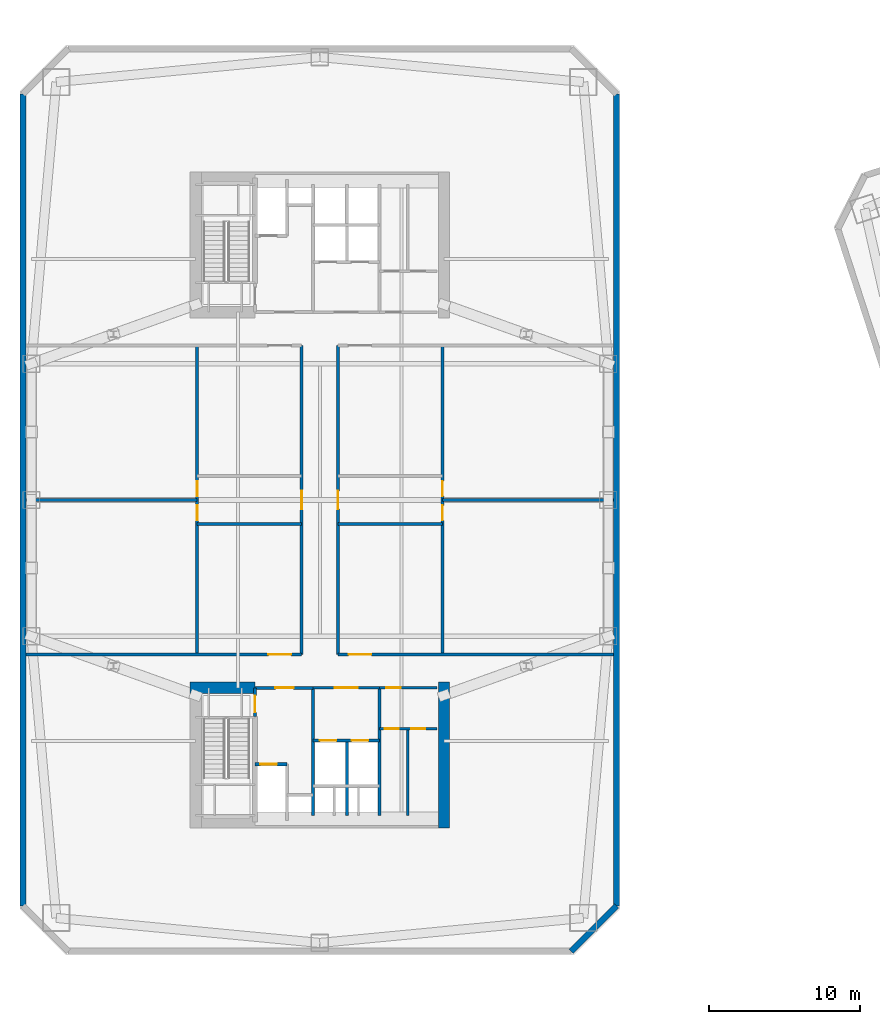
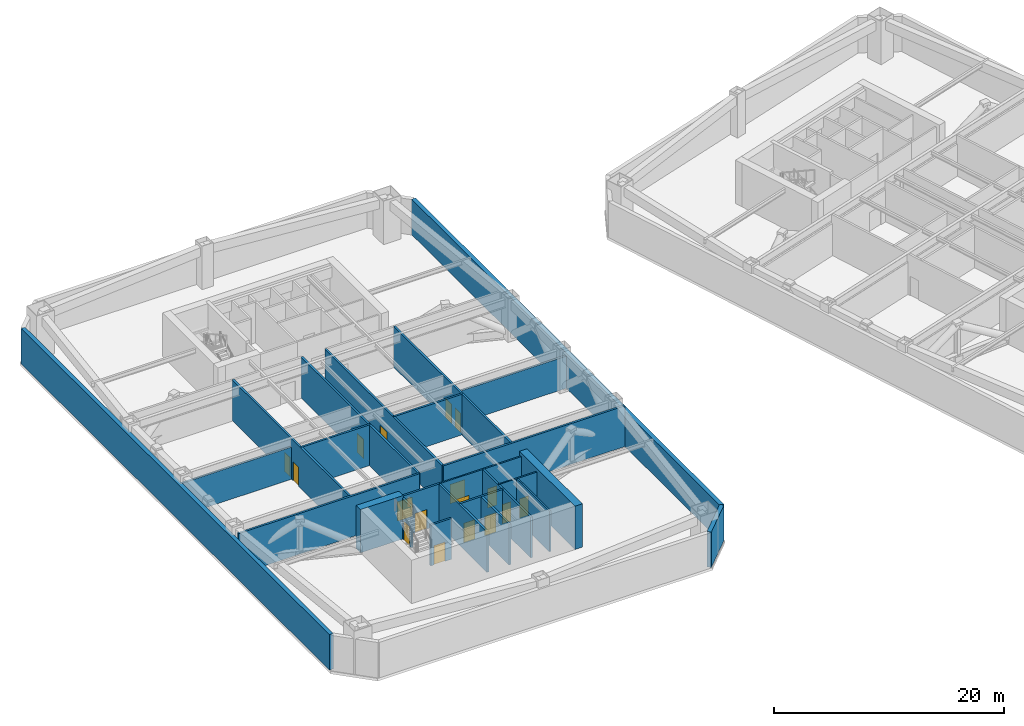
# One storey, part 9 of 16: 26 walls, 17 doors, 17 openings.
"""IFC4 building model written with IfcOpenShell, lengths in metres."""

from ifc_helpers import new_model, si_unit, direction, frame, frame_2d, origin, place, context, subcontext, project, spatial, rectangle, extrude, material, layer, layer_set, type_object, element, fill, save


model = new_model("IFC4")

# Units and contexts
model_context = context("Model", 3, precision=1e-05, world=origin(), true_north=direction((0.0, 1.0)))
body_context = subcontext(model_context, "Body", "Model", "MODEL_VIEW")
ifc_project = project(units=[si_unit("LENGTHUNIT", "METRE"), si_unit("AREAUNIT", "SQUARE_METRE"), si_unit("VOLUMEUNIT", "CUBIC_METRE"), si_unit("PLANEANGLEUNIT", "RADIAN"), si_unit("MASSUNIT", "GRAM", prefix="KILO")], contexts=[model_context])

# Site, building, storey
site_placement = place(None, origin())
site = spatial("IfcSite", under=ifc_project, at=site_placement, CompositionType="ELEMENT")
building_placement = place(site_placement, origin())
building = spatial("IfcBuilding", under=site, at=building_placement, Name="Qiaolan Cultural Towers", CompositionType="ELEMENT")
storey_placement = place(building_placement, frame((0.0, 0.0, 46.0)))
storey = spatial("IfcBuildingStorey", under=building, at=storey_placement, Name="L10", CompositionType="ELEMENT", Elevation=46.0)

# Walls
ifc_material_1 = material(Name="Concrete C60", Category="concrete")
ifc_layer_1 = layer(ifc_material_1, 0.75)
ifc_layer_set_1 = layer_set([ifc_layer_1], Name="Concrete C60")
wall_type_1 = type_object("IfcWallType", Name="WL-CORE-750", PredefinedType="SHEAR", material=ifc_layer_set_1)
wall_1_placement = place(storey_placement, frame((38.199951171875, 21.97509765625, 0.0), z_axis=(0.0, 0.0, 1.0), x_axis=(0.0, -1.0, 0.0)))
element("IfcWall", 1, at=wall_1_placement, inside=storey, type_object=wall_type_1, Name="L10 T1-CS East Core Shear Wall", PredefinedType="SHEAR", context=body_context, shape_type="SweptSolid", body=[
    extrude(rectangle(XDim=9.630126953125, YDim=0.75, at=frame_2d((4.81494140625, 0.0))), origin(), (0.0, 0.0, 1.0), 4.60009765625),
])
wall_2_placement = place(storey_placement, frame((21.425048828125, 21.60009765625, 0.0), z_axis=(0.0, 0.0, 1.0), x_axis=(1.0, 0.0, 0.0)))
element("IfcWall", 2, at=wall_2_placement, inside=storey, type_object=wall_type_1, Name="L10 T1-CS Stair Front Shear Wall", PredefinedType="SHEAR", context=body_context, shape_type="SweptSolid", body=[
    extrude(rectangle(XDim=4.294921875, YDim=0.75, at=frame_2d((2.1474609375, 0.0))), origin(), (0.0, 0.0, 1.0), 4.60009765625),
])
ifc_material_2 = material(Name="Precast Concrete C50 Honed Stone Pier", Category="masonry")
ifc_layer_2 = layer(ifc_material_2, 0.39990234375)
ifc_layer_set_2 = layer_set([ifc_layer_2], Name="Precast Concrete C50 Honed Stone Pier")
wall_type_2 = type_object("IfcWallType", Name="WL-EXT-PIER-400", PredefinedType="SOLIDWALL", material=ifc_layer_set_2)
for number, where, z_axis, x_axis, name in (
    (3, (10.39990234375, 7.199951171875, 0.0), (0.0, 0.0, 1.0), (0.0, 1.0, 0.0), "L10 West Tower Precast Pier Facade Wall F1"),
    (4, (49.60009765625, 60.800048828125, 0.0), (0.0, 0.0, 1.0), (0.0, -1.0, 0.0), "L10 West Tower Precast Pier Facade Wall F5"),
):
    element("IfcWall", number, at=place(storey_placement, frame(where, z_axis=z_axis, x_axis=x_axis)), inside=storey, type_object=wall_type_2, Name=name, PredefinedType="SOLIDWALL", context=body_context, shape_type="SweptSolid", body=[
        extrude(rectangle(XDim=53.60009765625, YDim=0.39990234375, at=frame_2d((26.800048828125, 0.0))), origin(), (0.0, 0.0, 1.0), 3.760009765625),
    ])
wall_3_placement = place(storey_placement, frame((49.60009765625, 7.199951171875, 0.0), z_axis=(0.0, 0.0, 1.0), x_axis=(-0.707106781187, -0.707106781187, 0.0)))
element("IfcWall", 5, at=wall_3_placement, inside=storey, type_object=wall_type_2, Name="L10 West Tower Precast Pier Facade Wall F6", PredefinedType="SOLIDWALL", context=body_context, shape_type="SweptSolid", body=[
    extrude(rectangle(XDim=4.24267578125, YDim=0.39990234375, at=frame_2d((2.121337890625, 0.0))), origin(), (0.0, 0.0, 1.0), 3.760009765625),
])

# Wall, opening, door
ifc_material_3 = material(Name="Concrete C35 Fire Wall", Category="concrete")
ifc_layer_3 = layer(ifc_material_3, 0.199951171875)
ifc_layer_set_3 = layer_set([ifc_layer_3], Name="Concrete C35 Fire Wall")
wall_type_3 = type_object("IfcWallType", Name="WL-FIRE-200", PredefinedType="PARTITIONING", material=ifc_layer_set_3)
wall_4_placement = place(storey_placement, frame((25.719970703125, 21.60009765625, 0.0), z_axis=(0.0, 0.0, 1.0), x_axis=(0.0, -1.0, 0.0)))
wall_4 = element("IfcWall", 6, at=wall_4_placement, inside=storey, type_object=wall_type_3, Name="L10 T1-CS Smokeproof Stair Entry Wall", PredefinedType="PARTITIONING", context=body_context, shape_type="SweptSolid", body=[
    extrude(rectangle(XDim=1.900146484375, YDim=0.199951171875, at=frame_2d((0.9501953125, 0.0))), origin(), (0.0, 0.0, 1.0), 4.324951171875),
])
opening_1_placement = place(wall_4_placement, frame((0.52001953125, 0.0, 0.0)))
opening_1 = element("IfcOpeningElement", 7, at=opening_1_placement, cuts=wall_4, Name="Opening FD-04", PredefinedType="OPENING", context=body_context, shape_type="SweptSolid", body=[
    extrude(rectangle(XDim=1.10009765625, YDim=2.050048828125, at=frame_2d((0.550048828125, 1.02490234375))), frame((0.0, 0.10986328125, 0.0), z_axis=(0.0, -1.0, 0.0), x_axis=(1.0, 0.0, 0.0)), (0.0, 0.0, 1.0), 0.219970703125),
])
ifc_material_4 = material(Name="Galvanized Steel Command Fire Door", Category="steel")
door_type_1 = type_object("IfcDoorType", Name="DR-FD90-1100", OperationType="NOTDEFINED", PredefinedType="DOOR", material=ifc_material_4)
door_1_placement = place(opening_1_placement, origin())
door_1 = element("IfcDoor", 8, at=door_1_placement, inside=storey, type_object=door_type_1, Name="L10 ST-W1 Smokeproof Stair Fire Door", OperationType="SINGLE_SWING_LEFT", OverallHeight=2.050048828125, OverallWidth=1.10009765625, PredefinedType="DOOR", context=body_context, shape_type="SweptSolid", body=[
    extrude(rectangle(XDim=1.10009765625, YDim=2.050048828125, at=frame_2d((0.550048828125, 1.02490234375))), frame((0.0, 0.02490234375, 0.0), z_axis=(0.0, -1.0, 0.0), x_axis=(1.0, 0.0, 0.0)), (0.0, 0.0, 1.0), 0.050048828125),
])
fill(opening_1, door_1)

# Wall
wall_5_placement = place(storey_placement, frame((29.550048828125, 21.60009765625, 0.0), z_axis=(0.0, 0.0, 1.0), x_axis=(0.0, -1.0, 0.0)))
element("IfcWall", 9, at=wall_5_placement, inside=storey, type_object=wall_type_3, Name="L10 T1-CS Firefighting Zone Wall", PredefinedType="PARTITIONING", context=body_context, shape_type="SweptSolid", body=[
    extrude(rectangle(XDim=8.43017578125, YDim=0.199951171875, at=frame_2d((4.215087890625, 0.0))), origin(), (0.0, 0.0, 1.0), 4.324951171875),
])

# Wall, opening, door
wall_6_placement = place(storey_placement, frame((25.719970703125, 21.60009765625, 0.0), z_axis=(0.0, 0.0, 1.0), x_axis=(1.0, 0.0, 0.0)))
wall_6 = element("IfcWall", 10, at=wall_6_placement, inside=storey, type_object=wall_type_3, Name="L10 T1-CS Firefighting Lobby Front Wall", PredefinedType="PARTITIONING", context=body_context, shape_type="SweptSolid", body=[
    extrude(rectangle(XDim=3.830078125, YDim=0.199951171875, at=frame_2d((1.9150390625, 0.0))), origin(), (0.0, 0.0, 1.0), 4.324951171875),
])
opening_2_placement = place(wall_6_placement, frame((1.35009765625, 0.0, 0.0)))
opening_2 = element("IfcOpeningElement", 11, at=opening_2_placement, cuts=wall_6, Name="Opening FD-03", PredefinedType="OPENING", context=body_context, shape_type="SweptSolid", body=[
    extrude(rectangle(XDim=1.199951171875, YDim=2.050048828125, at=frame_2d((0.60009765625, 1.02490234375))), frame((0.0, 0.10986328125, 0.0), z_axis=(0.0, -1.0, 0.0), x_axis=(1.0, 0.0, 0.0)), (0.0, 0.0, 1.0), 0.219970703125),
])
ifc_material_5 = material(Name="Galvanized Steel Smokeproof Lobby Fire Door", Category="steel")
door_type_2 = type_object("IfcDoorType", Name="DR-FD90-1200", OperationType="NOTDEFINED", PredefinedType="DOOR", material=ifc_material_5)
door_2_placement = place(opening_2_placement, origin())
door_2 = element("IfcDoor", 12, at=door_2_placement, inside=storey, type_object=door_type_2, Name="L10 FFL-W1 Firefighting Lobby Fire Door", OperationType="SINGLE_SWING_LEFT", OverallHeight=2.050048828125, OverallWidth=1.199951171875, PredefinedType="DOOR", context=body_context, shape_type="SweptSolid", body=[
    extrude(rectangle(XDim=1.199951171875, YDim=2.050048828125, at=frame_2d((0.60009765625, 1.02490234375))), frame((0.0, 0.02490234375, 0.0), z_axis=(0.0, -1.0, 0.0), x_axis=(1.0, 0.0, 0.0)), (0.0, 0.0, 1.0), 0.050048828125),
])
fill(opening_2, door_2)

wall_7_placement = place(storey_placement, frame((25.719970703125, 16.550048828125, 0.0), z_axis=(0.0, 0.0, 1.0), x_axis=(1.0, 0.0, 0.0)))
wall_7 = element("IfcWall", 13, at=wall_7_placement, inside=storey, type_object=wall_type_3, Name="L10 T1-CS Firefighting Shaft Front Wall", PredefinedType="PARTITIONING", context=body_context, shape_type="SweptSolid", body=[
    extrude(rectangle(XDim=2.10009765625, YDim=0.199951171875, at=frame_2d((1.050048828125, 0.0))), origin(), (0.0, 0.0, 1.0), 4.324951171875),
])
opening_3_placement = place(wall_7_placement, frame((0.35009765625, 0.0, 0.0)))
opening_3 = element("IfcOpeningElement", 14, at=opening_3_placement, cuts=wall_7, Name="Opening LD-01", PredefinedType="OPENING", context=body_context, shape_type="SweptSolid", body=[
    extrude(rectangle(XDim=1.10009765625, YDim=2.050048828125, at=frame_2d((0.550048828125, 1.02490234375))), frame((0.0, 0.10986328125, 0.0), z_axis=(0.0, -1.0, 0.0), x_axis=(1.0, 0.0, 0.0)), (0.0, 0.0, 1.0), 0.219970703125),
])
ifc_material_6 = material(Name="Brushed Stainless Steel S30408 Centre-Parting Lift Landing Door", Category="steel")
door_type_3 = type_object("IfcDoorType", Name="DR-LIFT-1100", OperationType="NOTDEFINED", PredefinedType="DOOR", material=ifc_material_6)
door_3_placement = place(opening_3_placement, origin())
door_3 = element("IfcDoor", 15, at=door_3_placement, inside=storey, type_object=door_type_3, Name="L10 FFL-W1 Firefighting Lift Landing Door", OperationType="DOUBLE_DOOR_SLIDING", OverallHeight=2.050048828125, OverallWidth=1.10009765625, PredefinedType="DOOR", context=body_context, shape_type="SweptSolid", body=[
    extrude(rectangle(XDim=1.10009765625, YDim=2.050048828125, at=frame_2d((0.550048828125, 1.02490234375))), frame((0.0, 0.02490234375, 0.0), z_axis=(0.0, -1.0, 0.0), x_axis=(1.0, 0.0, 0.0)), (0.0, 0.0, 1.0), 0.050048828125),
])
fill(opening_3, door_3)

# Wall
wall_8_placement = place(storey_placement, frame((33.949951171875, 21.60009765625, 0.0), z_axis=(0.0, 0.0, 1.0), x_axis=(0.0, -1.0, 0.0)))
element("IfcWall", 16, at=wall_8_placement, inside=storey, type_object=wall_type_3, Name="L10 T1-CS Lift Core East Wall", PredefinedType="PARTITIONING", context=body_context, shape_type="SweptSolid", body=[
    extrude(rectangle(XDim=8.43017578125, YDim=0.199951171875, at=frame_2d((4.215087890625, 0.0))), origin(), (0.0, 0.0, 1.0), 4.324951171875),
])

# Wall, openings, doors
wall_9_placement = place(storey_placement, frame((29.550048828125, 18.1201171875, 0.0), z_axis=(0.0, 0.0, 1.0), x_axis=(1.0, 0.0, 0.0)))
wall_9 = element("IfcWall", 17, at=wall_9_placement, inside=storey, type_object=wall_type_3, Name="L10 T1-CS Passenger Lift Shaft Front Wall", PredefinedType="PARTITIONING", context=body_context, shape_type="SweptSolid", body=[
    extrude(rectangle(XDim=4.39990234375, YDim=0.199951171875, at=frame_2d((2.199951171875, 0.0))), origin(), (0.0, 0.0, 1.0), 4.324951171875),
])
opening_4_placement = place(wall_9_placement, frame((0.449951171875, 0.0, 0.0)))
opening_4 = element("IfcOpeningElement", 18, at=opening_4_placement, cuts=wall_9, Name="Opening LD-01", PredefinedType="OPENING", context=body_context, shape_type="SweptSolid", body=[
    extrude(rectangle(XDim=1.10009765625, YDim=2.050048828125, at=frame_2d((0.550048828125, 1.02490234375))), frame((0.0, 0.10986328125, 0.0), z_axis=(0.0, -1.0, 0.0), x_axis=(1.0, 0.0, 0.0)), (0.0, 0.0, 1.0), 0.219970703125),
])
opening_5_placement = place(wall_9_placement, frame((2.550048828125, 0.0, 0.0)))
opening_5 = element("IfcOpeningElement", 19, at=opening_5_placement, cuts=wall_9, Name="Opening LD-01", PredefinedType="OPENING", context=body_context, shape_type="SweptSolid", body=[
    extrude(rectangle(XDim=1.10009765625, YDim=2.050048828125, at=frame_2d((0.550048828125, 1.02490234375))), frame((0.0, 0.10986328125, 0.0), z_axis=(0.0, -1.0, 0.0), x_axis=(1.0, 0.0, 0.0)), (0.0, 0.0, 1.0), 0.219970703125),
])
door_4_placement = place(opening_4_placement, origin())
door_4 = element("IfcDoor", 20, at=door_4_placement, inside=storey, type_object=door_type_3, Name="L10 Passenger Lift 1 Landing Door", OperationType="DOUBLE_DOOR_SLIDING", OverallHeight=2.050048828125, OverallWidth=1.10009765625, PredefinedType="DOOR", context=body_context, shape_type="SweptSolid", body=[
    extrude(rectangle(XDim=1.10009765625, YDim=2.050048828125, at=frame_2d((0.550048828125, 1.02490234375))), frame((0.0, 0.02490234375, 0.0), z_axis=(0.0, -1.0, 0.0), x_axis=(1.0, 0.0, 0.0)), (0.0, 0.0, 1.0), 0.050048828125),
])
fill(opening_4, door_4)
door_5_placement = place(opening_5_placement, origin())
door_5 = element("IfcDoor", 21, at=door_5_placement, inside=storey, type_object=door_type_3, Name="L10 Passenger Lift 2 Landing Door", OperationType="DOUBLE_DOOR_SLIDING", OverallHeight=2.050048828125, OverallWidth=1.10009765625, PredefinedType="DOOR", context=body_context, shape_type="SweptSolid", body=[
    extrude(rectangle(XDim=1.10009765625, YDim=2.050048828125, at=frame_2d((0.550048828125, 1.02490234375))), frame((0.0, 0.02490234375, 0.0), z_axis=(0.0, -1.0, 0.0), x_axis=(1.0, 0.0, 0.0)), (0.0, 0.0, 1.0), 0.050048828125),
])
fill(opening_5, door_5)

# Wall
wall_10_placement = place(storey_placement, frame((31.780029296875, 18.1201171875, 0.0), z_axis=(0.0, 0.0, 1.0), x_axis=(0.0, -1.0, 0.0)))
element("IfcWall", 22, at=wall_10_placement, inside=storey, type_object=wall_type_3, Name="L10 T1-CS Lift Shaft Divider Wall", PredefinedType="PARTITIONING", context=body_context, shape_type="SweptSolid", body=[
    extrude(rectangle(XDim=4.9501953125, YDim=0.199951171875, at=frame_2d((2.47509765625, 0.0))), origin(), (0.0, 0.0, 1.0), 4.324951171875),
])

# Wall, opening, door
wall_11_placement = place(storey_placement, frame((10.60009765625, 23.800048828125, 0.0), z_axis=(0.0, 0.0, 1.0), x_axis=(1.0, 0.0, 0.0)))
wall_11 = element("IfcWall", 23, at=wall_11_placement, inside=storey, type_object=wall_type_3, Name="L10 T1 Fire Rated Plant/Refuge Wall SBW", PredefinedType="PARTITIONING", context=body_context, shape_type="SweptSolid", body=[
    extrude(rectangle(XDim=18.199951171875, YDim=0.199951171875, at=frame_2d((9.10009765625, 0.0))), origin(), (0.0, 0.0, 1.0), 4.324951171875),
])
opening_6_placement = place(wall_11_placement, frame((16.0, 0.0, 0.0)))
opening_6 = element("IfcOpeningElement", 24, at=opening_6_placement, cuts=wall_11, Name="Opening FD-02", PredefinedType="OPENING", context=body_context, shape_type="SweptSolid", body=[
    extrude(rectangle(XDim=1.5, YDim=2.050048828125, at=frame_2d((0.75, 1.02490234375))), frame((0.0, 0.10986328125, 0.0), z_axis=(0.0, -1.0, 0.0), x_axis=(1.0, 0.0, 0.0)), (0.0, 0.0, 1.0), 0.219970703125),
])
ifc_material_7 = material(Name="Galvanized Steel Double Fire Door", Category="steel")
door_type_4 = type_object("IfcDoorType", Name="DR-FD90-1500", OperationType="NOTDEFINED", PredefinedType="DOOR", material=ifc_material_7)
door_6_placement = place(opening_6_placement, origin())
door_6 = element("IfcDoor", 25, at=door_6_placement, inside=storey, type_object=door_type_4, Name="L10 T1 West South Refuge Fire Door", OperationType="SINGLE_SWING_LEFT", OverallHeight=2.050048828125, OverallWidth=1.5, PredefinedType="DOOR", context=body_context, shape_type="SweptSolid", body=[
    extrude(rectangle(XDim=1.5, YDim=2.050048828125, at=frame_2d((0.75, 1.02490234375))), frame((0.0, 0.02490234375, 0.0), z_axis=(0.0, -1.0, 0.0), x_axis=(1.0, 0.0, 0.0)), (0.0, 0.0, 1.0), 0.050048828125),
])
fill(opening_6, door_6)

wall_12_placement = place(storey_placement, frame((31.199951171875, 23.800048828125, 0.0), z_axis=(0.0, 0.0, 1.0), x_axis=(1.0, 0.0, 0.0)))
wall_12 = element("IfcWall", 26, at=wall_12_placement, inside=storey, type_object=wall_type_3, Name="L10 T1 Fire Rated Plant/Refuge Wall SBE", PredefinedType="PARTITIONING", context=body_context, shape_type="SweptSolid", body=[
    extrude(rectangle(XDim=18.199951171875, YDim=0.199951171875, at=frame_2d((9.10009765625, 0.0))), origin(), (0.0, 0.0, 1.0), 4.324951171875),
])
opening_7_placement = place(wall_12_placement, frame((0.699951171875, 0.0, 0.0)))
opening_7 = element("IfcOpeningElement", 27, at=opening_7_placement, cuts=wall_12, Name="Opening FD-02", PredefinedType="OPENING", context=body_context, shape_type="SweptSolid", body=[
    extrude(rectangle(XDim=1.5, YDim=2.050048828125, at=frame_2d((0.75, 1.02490234375))), frame((0.0, 0.10986328125, 0.0), z_axis=(0.0, -1.0, 0.0), x_axis=(1.0, 0.0, 0.0)), (0.0, 0.0, 1.0), 0.219970703125),
])
door_7_placement = place(opening_7_placement, origin())
door_7 = element("IfcDoor", 28, at=door_7_placement, inside=storey, type_object=door_type_4, Name="L10 T1 East South Refuge Fire Door", OperationType="SINGLE_SWING_RIGHT", OverallHeight=2.050048828125, OverallWidth=1.5, PredefinedType="DOOR", context=body_context, shape_type="SweptSolid", body=[
    extrude(rectangle(XDim=1.5, YDim=2.050048828125, at=frame_2d((0.75, 1.02490234375))), frame((0.0, 0.02490234375, 0.0), z_axis=(0.0, -1.0, 0.0), x_axis=(1.0, 0.0, 0.0)), (0.0, 0.0, 1.0), 0.050048828125),
])
fill(opening_7, door_7)

wall_13_placement = place(storey_placement, frame((28.800048828125, 23.800048828125, 0.0), z_axis=(0.0, 0.0, 1.0), x_axis=(0.0, 1.0, 0.0)))
wall_13 = element("IfcWall", 29, at=wall_13_placement, inside=storey, type_object=wall_type_3, Name="L10 T1 Fire Rated Plant/Refuge Wall CL", PredefinedType="PARTITIONING", context=body_context, shape_type="SweptSolid", body=[
    extrude(rectangle(XDim=20.39990234375, YDim=0.199951171875, at=frame_2d((10.199951171875, 0.0))), origin(), (0.0, 0.0, 1.0), 4.324951171875),
])
opening_8_placement = place(wall_13_placement, frame((9.60009765625, 0.0, 0.0)))
opening_8 = element("IfcOpeningElement", 30, at=opening_8_placement, cuts=wall_13, Name="Opening FD-03", PredefinedType="OPENING", context=body_context, shape_type="SweptSolid", body=[
    extrude(rectangle(XDim=1.199951171875, YDim=2.050048828125, at=frame_2d((0.60009765625, 1.02490234375))), frame((0.0, 0.10986328125, 0.0), z_axis=(0.0, -1.0, 0.0), x_axis=(1.0, 0.0, 0.0)), (0.0, 0.0, 1.0), 0.219970703125),
])
door_8_placement = place(opening_8_placement, origin())
door_8 = element("IfcDoor", 31, at=door_8_placement, inside=storey, type_object=door_type_2, Name="L10 T1 West Plant Passage Door", OperationType="SINGLE_SWING_LEFT", OverallHeight=2.050048828125, OverallWidth=1.199951171875, PredefinedType="DOOR", context=body_context, shape_type="SweptSolid", body=[
    extrude(rectangle(XDim=1.199951171875, YDim=2.050048828125, at=frame_2d((0.60009765625, 1.02490234375))), frame((0.0, 0.02490234375, 0.0), z_axis=(0.0, -1.0, 0.0), x_axis=(1.0, 0.0, 0.0)), (0.0, 0.0, 1.0), 0.050048828125),
])
fill(opening_8, door_8)

wall_14_placement = place(storey_placement, frame((31.199951171875, 23.800048828125, 0.0), z_axis=(0.0, 0.0, 1.0), x_axis=(0.0, 1.0, 0.0)))
wall_14 = element("IfcWall", 32, at=wall_14_placement, inside=storey, type_object=wall_type_3, Name="L10 T1 Fire Rated Plant/Refuge Wall CR", PredefinedType="PARTITIONING", context=body_context, shape_type="SweptSolid", body=[
    extrude(rectangle(XDim=20.39990234375, YDim=0.199951171875, at=frame_2d((10.199951171875, 0.0))), origin(), (0.0, 0.0, 1.0), 4.324951171875),
])
opening_9_placement = place(wall_14_placement, frame((9.60009765625, 0.0, 0.0)))
opening_9 = element("IfcOpeningElement", 33, at=opening_9_placement, cuts=wall_14, Name="Opening FD-03", PredefinedType="OPENING", context=body_context, shape_type="SweptSolid", body=[
    extrude(rectangle(XDim=1.199951171875, YDim=2.050048828125, at=frame_2d((0.60009765625, 1.02490234375))), frame((0.0, 0.10986328125, 0.0), z_axis=(0.0, -1.0, 0.0), x_axis=(1.0, 0.0, 0.0)), (0.0, 0.0, 1.0), 0.219970703125),
])
door_9_placement = place(opening_9_placement, origin())
door_9 = element("IfcDoor", 34, at=door_9_placement, inside=storey, type_object=door_type_2, Name="L10 T1 East Plant Passage Door", OperationType="SINGLE_SWING_RIGHT", OverallHeight=2.050048828125, OverallWidth=1.199951171875, PredefinedType="DOOR", context=body_context, shape_type="SweptSolid", body=[
    extrude(rectangle(XDim=1.199951171875, YDim=2.050048828125, at=frame_2d((0.60009765625, 1.02490234375))), frame((0.0, 0.02490234375, 0.0), z_axis=(0.0, -1.0, 0.0), x_axis=(1.0, 0.0, 0.0)), (0.0, 0.0, 1.0), 0.050048828125),
])
fill(opening_9, door_9)

# Wall, openings, doors
wall_15_placement = place(storey_placement, frame((21.89990234375, 23.800048828125, 0.0), z_axis=(0.0, 0.0, 1.0), x_axis=(0.0, 1.0, 0.0)))
wall_15 = element("IfcWall", 35, at=wall_15_placement, inside=storey, type_object=wall_type_3, Name="L10 T1 Fire Rated Plant/Refuge Wall WL", PredefinedType="PARTITIONING", context=body_context, shape_type="SweptSolid", body=[
    extrude(rectangle(XDim=20.39990234375, YDim=0.199951171875, at=frame_2d((10.199951171875, 0.0))), origin(), (0.0, 0.0, 1.0), 4.324951171875),
])
opening_10_placement = place(wall_15_placement, frame((8.85009765625, 0.0, 0.0)))
opening_10 = element("IfcOpeningElement", 36, at=opening_10_placement, cuts=wall_15, Name="Opening FD-07", PredefinedType="OPENING", context=body_context, shape_type="SweptSolid", body=[
    extrude(rectangle(XDim=1.0, YDim=2.050048828125, at=frame_2d((0.5, 1.02490234375))), frame((0.0, 0.10986328125, 0.0), z_axis=(0.0, -1.0, 0.0), x_axis=(1.0, 0.0, 0.0)), (0.0, 0.0, 1.0), 0.219970703125),
])
opening_11_placement = place(wall_15_placement, frame((10.449951171875, 0.0, 0.0)))
opening_11 = element("IfcOpeningElement", 37, at=opening_11_placement, cuts=wall_15, Name="Opening FD-07", PredefinedType="OPENING", context=body_context, shape_type="SweptSolid", body=[
    extrude(rectangle(XDim=1.0, YDim=2.050048828125, at=frame_2d((0.5, 1.02490234375))), frame((0.0, 0.10986328125, 0.0), z_axis=(0.0, -1.0, 0.0), x_axis=(1.0, 0.0, 0.0)), (0.0, 0.0, 1.0), 0.219970703125),
])
ifc_material_8 = material(Name="Painted Steel Riser Fire Door", Category="steel")
door_type_5 = type_object("IfcDoorType", Name="DR-FD60-1000", OperationType="NOTDEFINED", PredefinedType="DOOR", material=ifc_material_8)
door_10_placement = place(opening_10_placement, origin())
door_10 = element("IfcDoor", 38, at=door_10_placement, inside=storey, type_object=door_type_5, Name="L10 T1 West Chiller Plant Door", OperationType="SINGLE_SWING_LEFT", OverallHeight=2.050048828125, OverallWidth=1.0, PredefinedType="DOOR", context=body_context, shape_type="SweptSolid", body=[
    extrude(rectangle(XDim=1.0, YDim=2.050048828125, at=frame_2d((0.5, 1.02490234375))), frame((0.0, 0.02490234375, 0.0), z_axis=(0.0, -1.0, 0.0), x_axis=(1.0, 0.0, 0.0)), (0.0, 0.0, 1.0), 0.050048828125),
])
fill(opening_10, door_10)
door_11_placement = place(opening_11_placement, origin())
door_11 = element("IfcDoor", 39, at=door_11_placement, inside=storey, type_object=door_type_5, Name="L10 T1 West Fire Water Pump Plant Door", OperationType="SINGLE_SWING_RIGHT", OverallHeight=2.050048828125, OverallWidth=1.0, PredefinedType="DOOR", context=body_context, shape_type="SweptSolid", body=[
    extrude(rectangle(XDim=1.0, YDim=2.050048828125, at=frame_2d((0.5, 1.02490234375))), frame((0.0, 0.02490234375, 0.0), z_axis=(0.0, -1.0, 0.0), x_axis=(1.0, 0.0, 0.0)), (0.0, 0.0, 1.0), 0.050048828125),
])
fill(opening_11, door_11)

wall_16_placement = place(storey_placement, frame((38.10009765625, 23.800048828125, 0.0), z_axis=(0.0, 0.0, 1.0), x_axis=(0.0, 1.0, 0.0)))
wall_16 = element("IfcWall", 40, at=wall_16_placement, inside=storey, type_object=wall_type_3, Name="L10 T1 Fire Rated Plant/Refuge Wall ER", PredefinedType="PARTITIONING", context=body_context, shape_type="SweptSolid", body=[
    extrude(rectangle(XDim=20.39990234375, YDim=0.199951171875, at=frame_2d((10.199951171875, 0.0))), origin(), (0.0, 0.0, 1.0), 4.324951171875),
])
opening_12_placement = place(wall_16_placement, frame((8.85009765625, 0.0, 0.0)))
opening_12 = element("IfcOpeningElement", 41, at=opening_12_placement, cuts=wall_16, Name="Opening FD-07", PredefinedType="OPENING", context=body_context, shape_type="SweptSolid", body=[
    extrude(rectangle(XDim=1.0, YDim=2.050048828125, at=frame_2d((0.5, 1.02490234375))), frame((0.0, 0.10986328125, 0.0), z_axis=(0.0, -1.0, 0.0), x_axis=(1.0, 0.0, 0.0)), (0.0, 0.0, 1.0), 0.219970703125),
])
opening_13_placement = place(wall_16_placement, frame((10.449951171875, 0.0, 0.0)))
opening_13 = element("IfcOpeningElement", 42, at=opening_13_placement, cuts=wall_16, Name="Opening FD-07", PredefinedType="OPENING", context=body_context, shape_type="SweptSolid", body=[
    extrude(rectangle(XDim=1.0, YDim=2.050048828125, at=frame_2d((0.5, 1.02490234375))), frame((0.0, 0.10986328125, 0.0), z_axis=(0.0, -1.0, 0.0), x_axis=(1.0, 0.0, 0.0)), (0.0, 0.0, 1.0), 0.219970703125),
])
door_12_placement = place(opening_12_placement, origin())
door_12 = element("IfcDoor", 43, at=door_12_placement, inside=storey, type_object=door_type_5, Name="L10 T1 East AHU Plant Door", OperationType="SINGLE_SWING_LEFT", OverallHeight=2.050048828125, OverallWidth=1.0, PredefinedType="DOOR", context=body_context, shape_type="SweptSolid", body=[
    extrude(rectangle(XDim=1.0, YDim=2.050048828125, at=frame_2d((0.5, 1.02490234375))), frame((0.0, 0.02490234375, 0.0), z_axis=(0.0, -1.0, 0.0), x_axis=(1.0, 0.0, 0.0)), (0.0, 0.0, 1.0), 0.050048828125),
])
fill(opening_12, door_12)
door_13_placement = place(opening_13_placement, origin())
door_13 = element("IfcDoor", 44, at=door_13_placement, inside=storey, type_object=door_type_5, Name="L10 T1 East Electrical Substation Door", OperationType="SINGLE_SWING_RIGHT", OverallHeight=2.050048828125, OverallWidth=1.0, PredefinedType="DOOR", context=body_context, shape_type="SweptSolid", body=[
    extrude(rectangle(XDim=1.0, YDim=2.050048828125, at=frame_2d((0.5, 1.02490234375))), frame((0.0, 0.02490234375, 0.0), z_axis=(0.0, -1.0, 0.0), x_axis=(1.0, 0.0, 0.0)), (0.0, 0.0, 1.0), 0.050048828125),
])
fill(opening_13, door_13)

# Walls
for number, where, z_axis, x_axis, name in (
    (45, (10.60009765625, 34.0, 0.0), (0.0, 0.0, 1.0), (1.0, 0.0, 0.0), "L10 T1 Fire Rated Plant/Refuge Wall WMID"),
    (46, (38.10009765625, 34.0, 0.0), (0.0, 0.0, 1.0), (1.0, 0.0, 0.0), "L10 T1 Fire Rated Plant/Refuge Wall EMID"),
):
    element("IfcWall", number, at=place(storey_placement, frame(where, z_axis=z_axis, x_axis=x_axis)), inside=storey, type_object=wall_type_3, Name=name, PredefinedType="PARTITIONING", context=body_context, shape_type="SweptSolid", body=[
        extrude(rectangle(XDim=11.2998046875, YDim=0.199951171875, at=frame_2d((5.64990234375, 0.0))), origin(), (0.0, 0.0, 1.0), 3.4150390625),
    ])
for number, where, z_axis, x_axis, name in (
    (47, (21.89990234375, 32.39990234375, 0.0), (0.0, 0.0, 1.0), (1.0, 0.0, 0.0), "L10 T1 Fire Rated Plant/Refuge Wall SVS-WL"),
    (48, (31.199951171875, 32.39990234375, 0.0), (0.0, 0.0, 1.0), (1.0, 0.0, 0.0), "L10 T1 Fire Rated Plant/Refuge Wall SVS-WR"),
):
    element("IfcWall", number, at=place(storey_placement, frame(where, z_axis=z_axis, x_axis=x_axis)), inside=storey, type_object=wall_type_3, Name=name, PredefinedType="PARTITIONING", context=body_context, shape_type="SweptSolid", body=[
        extrude(rectangle(XDim=6.900146484375, YDim=0.199951171875, at=frame_2d((3.4501953125, 0.0))), origin(), (0.0, 0.0, 1.0), 4.324951171875),
    ])

# Wall, opening, door
ifc_material_9 = material(Name="Autoclaved Aerated Concrete Block B06", Category="concrete")
ifc_layer_4 = layer(ifc_material_9, 0.14990234375)
ifc_layer_set_4 = layer_set([ifc_layer_4], Name="Autoclaved Aerated Concrete Block B06")
wall_type_4 = type_object("IfcWallType", Name="WL-PART-150", PredefinedType="PARTITIONING", material=ifc_layer_set_4)
wall_17_placement = place(storey_placement, frame((29.550048828125, 21.60009765625, 0.0), z_axis=(0.0, 0.0, 1.0), x_axis=(1.0, 0.0, 0.0)))
wall_17 = element("IfcWall", 49, at=wall_17_placement, inside=storey, type_object=wall_type_4, Name="L10 T1-CS Passenger Lift Lobby Front Wall", PredefinedType="PARTITIONING", context=body_context, shape_type="SweptSolid", body=[
    extrude(rectangle(XDim=4.39990234375, YDim=0.14990234375, at=frame_2d((2.199951171875, 0.0))), origin(), (0.0, 0.0, 1.0), 4.324951171875),
])
opening_14_placement = place(wall_17_placement, frame((1.449951171875, 0.0, 0.0)))
opening_14 = element("IfcOpeningElement", 50, at=opening_14_placement, cuts=wall_17, Name="Opening FD-05", PredefinedType="OPENING", context=body_context, shape_type="SweptSolid", body=[
    extrude(rectangle(XDim=1.5, YDim=2.050048828125, at=frame_2d((0.75, 1.02490234375))), frame((0.0, 0.0849609375, 0.0), z_axis=(0.0, -1.0, 0.0), x_axis=(1.0, 0.0, 0.0)), (0.0, 0.0, 1.0), 0.169921875),
])
ifc_material_10 = material(Name="Painted Steel Lift Lobby Fire Door", Category="steel")
door_type_6 = type_object("IfcDoorType", Name="DR-FD60-1500", OperationType="NOTDEFINED", PredefinedType="DOOR", material=ifc_material_10)
door_14_placement = place(opening_14_placement, origin())
door_14 = element("IfcDoor", 51, at=door_14_placement, inside=storey, type_object=door_type_6, Name="L10 Passenger Lift Lobby Entrance", OperationType="SINGLE_SWING_LEFT", OverallHeight=2.050048828125, OverallWidth=1.5, PredefinedType="DOOR", context=body_context, shape_type="SweptSolid", body=[
    extrude(rectangle(XDim=1.5, YDim=2.050048828125, at=frame_2d((0.75, 1.02490234375))), frame((0.0, 0.02490234375, 0.0), z_axis=(0.0, -1.0, 0.0), x_axis=(1.0, 0.0, 0.0)), (0.0, 0.0, 1.0), 0.050048828125),
])
fill(opening_14, door_14)

wall_18_placement = place(storey_placement, frame((33.949951171875, 21.60009765625, 0.0), z_axis=(0.0, 0.0, 1.0), x_axis=(1.0, 0.0, 0.0)))
wall_18 = element("IfcWall", 52, at=wall_18_placement, inside=storey, type_object=wall_type_4, Name="L10 T1-CS Sanitary Core Front Wall", PredefinedType="PARTITIONING", context=body_context, shape_type="SweptSolid", body=[
    extrude(rectangle(XDim=3.800048828125, YDim=0.14990234375, at=frame_2d((1.89990234375, 0.0))), origin(), (0.0, 0.0, 1.0), 4.324951171875),
])
opening_15_placement = place(wall_18_placement, frame((0.449951171875, 0.0, 0.0)))
opening_15 = element("IfcOpeningElement", 53, at=opening_15_placement, cuts=wall_18, Name="Opening ID-05", PredefinedType="OPENING", context=body_context, shape_type="SweptSolid", body=[
    extrude(rectangle(XDim=0.949951171875, YDim=2.050048828125, at=frame_2d((0.47509765625, 1.02490234375))), frame((0.0, 0.0849609375, 0.0), z_axis=(0.0, -1.0, 0.0), x_axis=(1.0, 0.0, 0.0)), (0.0, 0.0, 1.0), 0.169921875),
])
ifc_material_11 = material(Name="Fire-Rated Laminate Accessible Core Door", Category="timber")
door_type_7 = type_object("IfcDoorType", Name="DR-INT-950", OperationType="NOTDEFINED", PredefinedType="DOOR", material=ifc_material_11)
door_15_placement = place(opening_15_placement, origin())
door_15 = element("IfcDoor", 54, at=door_15_placement, inside=storey, type_object=door_type_7, Name="L10 Sanitary Vestibule Door", OperationType="SINGLE_SWING_LEFT", OverallHeight=2.050048828125, OverallWidth=0.949951171875, PredefinedType="DOOR", context=body_context, shape_type="SweptSolid", body=[
    extrude(rectangle(XDim=0.949951171875, YDim=2.050048828125, at=frame_2d((0.47509765625, 1.02490234375))), frame((0.0, 0.02490234375, 0.0), z_axis=(0.0, -1.0, 0.0), x_axis=(1.0, 0.0, 0.0)), (0.0, 0.0, 1.0), 0.050048828125),
])
fill(opening_15, door_15)

# Wall, openings, doors
wall_19_placement = place(storey_placement, frame((33.949951171875, 18.89990234375, 0.0), z_axis=(0.0, 0.0, 1.0), x_axis=(1.0, 0.0, 0.0)))
wall_19 = element("IfcWall", 55, at=wall_19_placement, inside=storey, type_object=wall_type_4, Name="L10 T1-CS Restroom Vestibule Wall", PredefinedType="PARTITIONING", context=body_context, shape_type="SweptSolid", body=[
    extrude(rectangle(XDim=3.800048828125, YDim=0.14990234375, at=frame_2d((1.89990234375, 0.0))), origin(), (0.0, 0.0, 1.0), 4.324951171875),
])
opening_16_placement = place(wall_19_placement, frame((0.35009765625, 0.0, 0.0)))
opening_16 = element("IfcOpeningElement", 56, at=opening_16_placement, cuts=wall_19, Name="Opening ID-06", PredefinedType="OPENING", context=body_context, shape_type="SweptSolid", body=[
    extrude(rectangle(XDim=0.89990234375, YDim=2.050048828125, at=frame_2d((0.449951171875, 1.02490234375))), frame((0.0, 0.0849609375, 0.0), z_axis=(0.0, -1.0, 0.0), x_axis=(1.0, 0.0, 0.0)), (0.0, 0.0, 1.0), 0.169921875),
])
opening_17_placement = place(wall_19_placement, frame((2.10009765625, 0.0, 0.0)))
opening_17 = element("IfcOpeningElement", 57, at=opening_17_placement, cuts=wall_19, Name="Opening ID-06", PredefinedType="OPENING", context=body_context, shape_type="SweptSolid", body=[
    extrude(rectangle(XDim=0.89990234375, YDim=2.050048828125, at=frame_2d((0.449951171875, 1.02490234375))), frame((0.0, 0.0849609375, 0.0), z_axis=(0.0, -1.0, 0.0), x_axis=(1.0, 0.0, 0.0)), (0.0, 0.0, 1.0), 0.169921875),
])
ifc_material_12 = material(Name="Fire-Rated Laminate Core Service Door", Category="timber")
door_type_8 = type_object("IfcDoorType", Name="DR-INT-900", OperationType="NOTDEFINED", PredefinedType="DOOR", material=ifc_material_12)
door_16_placement = place(opening_16_placement, origin())
door_16 = element("IfcDoor", 58, at=door_16_placement, inside=storey, type_object=door_type_8, Name="L10 Men Restroom Door", OperationType="SINGLE_SWING_LEFT", OverallHeight=2.050048828125, OverallWidth=0.89990234375, PredefinedType="DOOR", context=body_context, shape_type="SweptSolid", body=[
    extrude(rectangle(XDim=0.89990234375, YDim=2.050048828125, at=frame_2d((0.449951171875, 1.02490234375))), frame((0.0, 0.02490234375, 0.0), z_axis=(0.0, -1.0, 0.0), x_axis=(1.0, 0.0, 0.0)), (0.0, 0.0, 1.0), 0.050048828125),
])
fill(opening_16, door_16)
door_17_placement = place(opening_17_placement, origin())
door_17 = element("IfcDoor", 59, at=door_17_placement, inside=storey, type_object=door_type_8, Name="L10 Accessible & Women Restroom Door", OperationType="SINGLE_SWING_RIGHT", OverallHeight=2.050048828125, OverallWidth=0.89990234375, PredefinedType="DOOR", context=body_context, shape_type="SweptSolid", body=[
    extrude(rectangle(XDim=0.89990234375, YDim=2.050048828125, at=frame_2d((0.449951171875, 1.02490234375))), frame((0.0, 0.02490234375, 0.0), z_axis=(0.0, -1.0, 0.0), x_axis=(1.0, 0.0, 0.0)), (0.0, 0.0, 1.0), 0.050048828125),
])
fill(opening_17, door_17)

# Wall
wall_20_placement = place(storey_placement, frame((35.800048828125, 18.89990234375, 0.0), z_axis=(0.0, 0.0, 1.0), x_axis=(0.0, -1.0, 0.0)))
element("IfcWall", 60, at=wall_20_placement, inside=storey, type_object=wall_type_4, Name="L10 T1-CS Restroom Divider Wall", PredefinedType="PARTITIONING", context=body_context, shape_type="SweptSolid", body=[
    extrude(rectangle(XDim=5.72998046875, YDim=0.14990234375, at=frame_2d((2.864990234375, 0.0))), origin(), (0.0, 0.0, 1.0), 4.324951171875),
])

save(model, "model.ifc")
